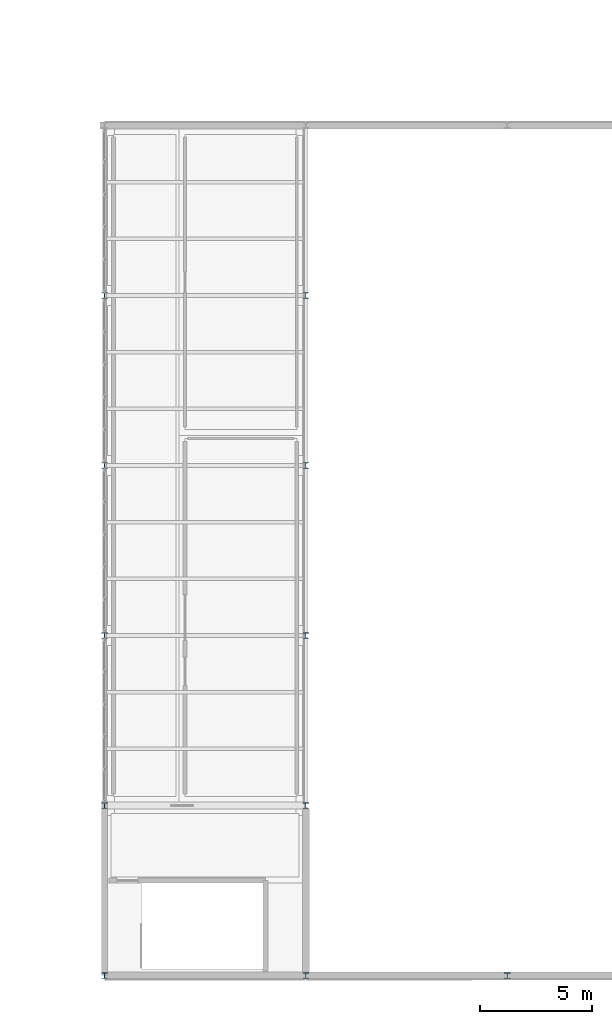
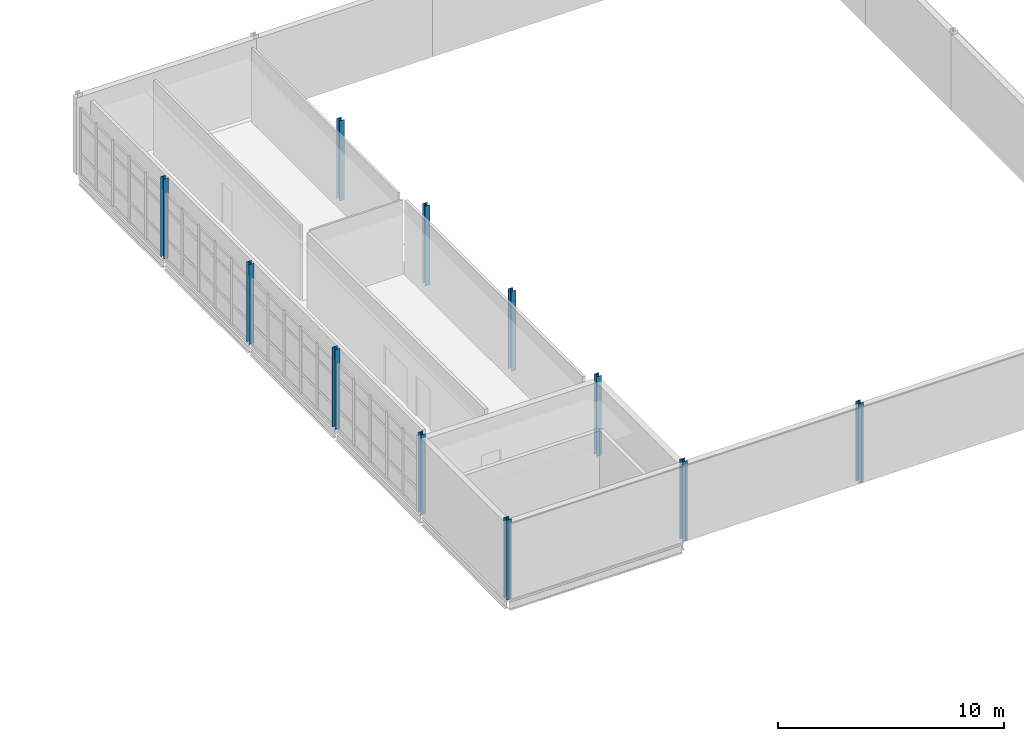
# One storey, part 19 of 166: 11 columns.
"""IFC4 building model written with IfcOpenShell, lengths in metres."""

from ifc_helpers import new_model, si_unit, direction, frame, origin, origin_2d, place, context, subcontext, project, spatial, i_section, extrude, material, material_profile, profile_set, type_object, element, save


model = new_model("IFC4")

# Units and contexts
model_context = context("Model", 3, precision=1e-05, world=origin(), true_north=direction((0.0, 1.0)))
body_context = subcontext(model_context, "Body", "Model", "MODEL_VIEW")
ifc_project = project(units=[si_unit("LENGTHUNIT", "METRE"), si_unit("AREAUNIT", "SQUARE_METRE"), si_unit("VOLUMEUNIT", "CUBIC_METRE"), si_unit("PLANEANGLEUNIT", "RADIAN"), si_unit("MASSUNIT", "GRAM", prefix="KILO")], contexts=[model_context])

# Site, building, storey
site_placement = place(None, origin())
site = spatial("IfcSite", under=ifc_project, at=site_placement, CompositionType="ELEMENT")
building_placement = place(site_placement, origin())
building = spatial("IfcBuilding", under=site, at=building_placement, Name="Caisbarro Railhouse Central Library", CompositionType="ELEMENT")
storey_placement = place(building_placement, frame((0.0, 0.0, 9.360107421875)))
storey = spatial("IfcBuildingStorey", under=building, at=storey_placement, Name="L02", CompositionType="ELEMENT", Elevation=9.360107421875)

# Columns
ifc_material = material(Name="Steel ASTM A572 Grade 50", Category="steel")
ifc_material_profile = material_profile(ifc_material, i_section(OverallWidth=0.25390625, OverallDepth=0.2529296875, WebThickness=0.008544921875, FlangeThickness=0.01416015625, FilletRadius=0.011962890625, at=origin_2d()), Name="W250X73.0")
ifc_profile_set = profile_set([ifc_material_profile], Name="Steel ASTM A572 Grade 50")
column_type = type_object("IfcColumnType", Name="COL-C08", PredefinedType="COLUMN", material=ifc_profile_set)
for number, where, z_axis, x_axis, name in (
    (1, (144.0, 0.0, 0.0), (0.0, 0.0, 1.0), (1.0, 0.0, 0.0), "C08 column L02 (144.0,0.0)"),
    (2, (144.0, 7.60009765625, 0.0), (0.0, 0.0, 1.0), (1.0, 0.0, 0.0), "C08 column L02 (144.0,7.6)"),
    (3, (144.0, 15.199951171875, 0.0), (0.0, 0.0, 1.0), (1.0, 0.0, 0.0), "C08 column L02 (144.0,15.2)"),
    (4, (144.0, 22.800048828125, 0.0), (0.0, 0.0, 1.0), (1.0, 0.0, 0.0), "C08 column L02 (144.0,22.8)"),
    (5, (144.0, 30.39990234375, 0.0), (0.0, 0.0, 1.0), (1.0, 0.0, 0.0), "C08 column L02 (144.0,30.4)"),
    (6, (153.0, 0.0, 0.0), (0.0, 0.0, 1.0), (1.0, 0.0, 0.0), "C08 column L02 (153.0,0.0)"),
    (7, (153.0, 7.60009765625, 0.0), (0.0, 0.0, 1.0), (1.0, 0.0, 0.0), "C08 column L02 (153.0,7.6)"),
    (8, (153.0, 15.199951171875, 0.0), (0.0, 0.0, 1.0), (1.0, 0.0, 0.0), "C08 column L02 (153.0,15.2)"),
    (9, (153.0, 22.800048828125, 0.0), (0.0, 0.0, 1.0), (1.0, 0.0, 0.0), "C08 column L02 (153.0,22.8)"),
    (10, (153.0, 30.39990234375, 0.0), (0.0, 0.0, 1.0), (1.0, 0.0, 0.0), "C08 column L02 (153.0,30.4)"),
    (11, (162.0, 0.0, 0.0), (0.0, 0.0, 1.0), (1.0, 0.0, 0.0), "C08 column L02 (162.0,0.0)"),
):
    element("IfcColumn", number, at=place(storey_placement, frame(where, z_axis=z_axis, x_axis=x_axis)), inside=storey, type_object=column_type, Name=name, PredefinedType="COLUMN", context=body_context, shape_type="SweptSolid", body=[
        extrude(i_section(OverallWidth=0.25390625, OverallDepth=0.2529296875, WebThickness=0.008544921875, FlangeThickness=0.01416015625, FilletRadius=0.011962890625, at=origin_2d()), origin(), (0.0, 0.0, 1.0), 4.31982421875),
    ])

save(model, "model.ifc")
